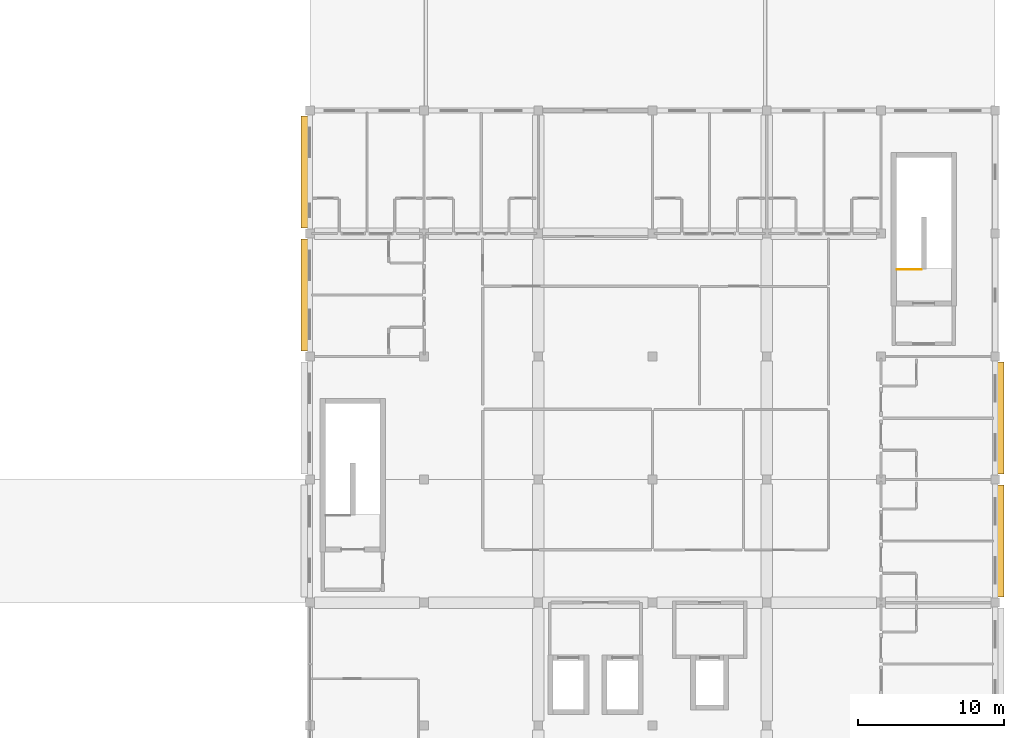
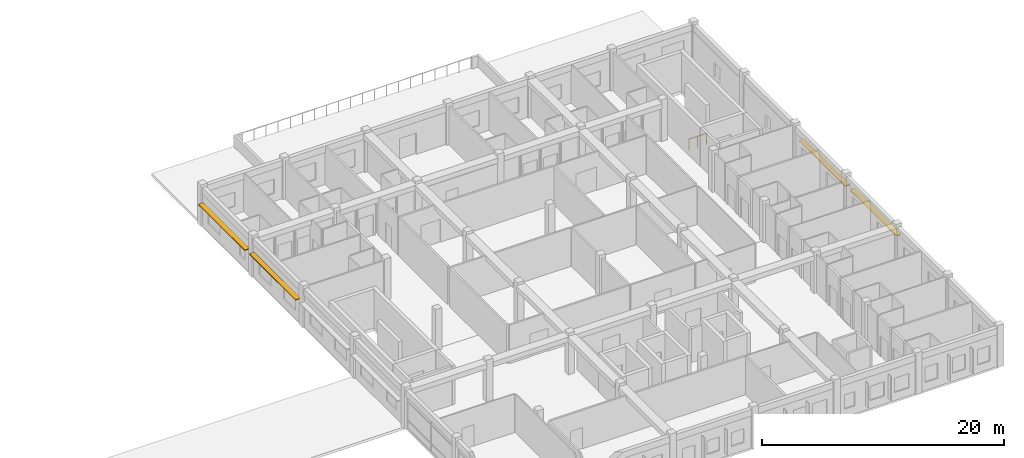
# One storey, part 30 of 32: 4 shading devices, 1 railing.
"""IFC4 building model written with IfcOpenShell, lengths in metres."""

from ifc_helpers import new_model, si_unit, direction, frame, origin, origin_2d, place, context, subcontext, project, spatial, rectangle, circle, extrude, material, layer, layer_set, type_object, element, save


model = new_model("IFC4")

# Units and contexts
model_context = context("Model", 3, precision=1e-05, world=origin(), true_north=direction((0.0, 1.0)))
body_context = subcontext(model_context, "Body", "Model", "MODEL_VIEW")
ifc_project = project(units=[si_unit("LENGTHUNIT", "METRE"), si_unit("AREAUNIT", "SQUARE_METRE"), si_unit("VOLUMEUNIT", "CUBIC_METRE"), si_unit("PLANEANGLEUNIT", "RADIAN"), si_unit("MASSUNIT", "GRAM", prefix="KILO"), si_unit("THERMODYNAMICTEMPERATUREUNIT", "KELVIN"), si_unit("POWERUNIT", "WATT")], contexts=[model_context])

# Site, building, storey
site_placement = place(None, origin())
site = spatial("IfcSite", under=ifc_project, at=site_placement, CompositionType="ELEMENT")
building_placement = place(site_placement, origin())
building = spatial("IfcBuilding", under=site, at=building_placement, Name="Srebrne Nadtorze General Hospital", CompositionType="ELEMENT")
storey_placement = place(building_placement, frame((0.0, 0.0, 29.699951171875)))
storey = spatial("IfcBuildingStorey", under=building, at=storey_placement, Name="L07", CompositionType="ELEMENT", Elevation=29.699951171875)

# Shading devices
ifc_material_1 = material(Name="Anodised Aluminium", Category="aluminium")
ifc_layer = layer(ifc_material_1, 0.080078125)
ifc_layer_set = layer_set([ifc_layer], Name="Anodised Aluminium")
shading_device_type = type_object("IfcShadingDeviceType", Name="Hisashi horizontal aluminium sunshade", PredefinedType="JALOUSIE", material=ifc_layer_set)
for number, where, z_axis, x_axis, name in (
    (1, (101.0400390625, 71.39990234375, 2.469970703125), (0.0, 0.0, 1.0), (1.0, 0.0, 0.0), "Hisashi horizontal sunshade eave LV-419"),
    (2, (101.0400390625, 79.800048828125, 2.3701171875), (0.0, 0.0, 1.0), (1.0, 0.0, 0.0), "Hisashi horizontal sunshade eave LV-420"),
    (3, (148.56005859375, 54.60009765625, 2.469970703125), (0.0, 0.0, 1.0), (1.0, 0.0, 0.0), "Hisashi horizontal sunshade eave LV-423"),
    (4, (148.56005859375, 63.0, 2.3701171875), (0.0, 0.0, 1.0), (1.0, 0.0, 0.0), "Hisashi horizontal sunshade eave LV-424"),
):
    element("IfcShadingDevice", number, at=place(storey_placement, frame(where, z_axis=z_axis, x_axis=x_axis)), inside=storey, type_object=shading_device_type, Name=name, PredefinedType="JALOUSIE", context=body_context, shape_type="SweptSolid", body=[
        extrude(rectangle(XDim=0.47998046875, YDim=7.639892578125, at=origin_2d()), origin(), (0.0, 0.0, 1.0), 0.080078125),
    ])

# Railing
ifc_material_2 = material(Name="Stainless Steel 316", Category="steel")
railing_type = type_object("IfcRailingType", Name="Stairwell safety guard 1120", PredefinedType="BALUSTRADE", material=ifc_material_2)
railing_placement = place(storey_placement, frame((141.489990234375, 73.139892578125, 0.0)))
element("IfcRailing", 5, at=railing_placement, inside=storey, type_object=railing_type, Name="Top stairwell guard ST-04", PredefinedType="BALUSTRADE", context=body_context, shape_type="SweptSolid", body=[
    extrude(circle(Radius=0.02392578125, at=origin_2d()), frame((0.0, 0.0, 1.09619140625), z_axis=(1.0, 0.0, 0.0), x_axis=(0.0, 1.0, 0.0)), (0.0, 0.0, 1.0), 1.655029296875),
    extrude(circle(Radius=0.02099609375, at=origin_2d()), origin(), (0.0, 0.0, 1.0), 1.072021484375),
    extrude(circle(Radius=0.02099609375, at=origin_2d()), frame((0.82763671875, 0.0, 0.0)), (0.0, 0.0, 1.0), 1.072021484375),
    extrude(circle(Radius=0.02099609375, at=origin_2d()), frame((1.655029296875, 0.0, 0.0)), (0.0, 0.0, 1.0), 1.072021484375),
])

save(model, "model.ifc")
